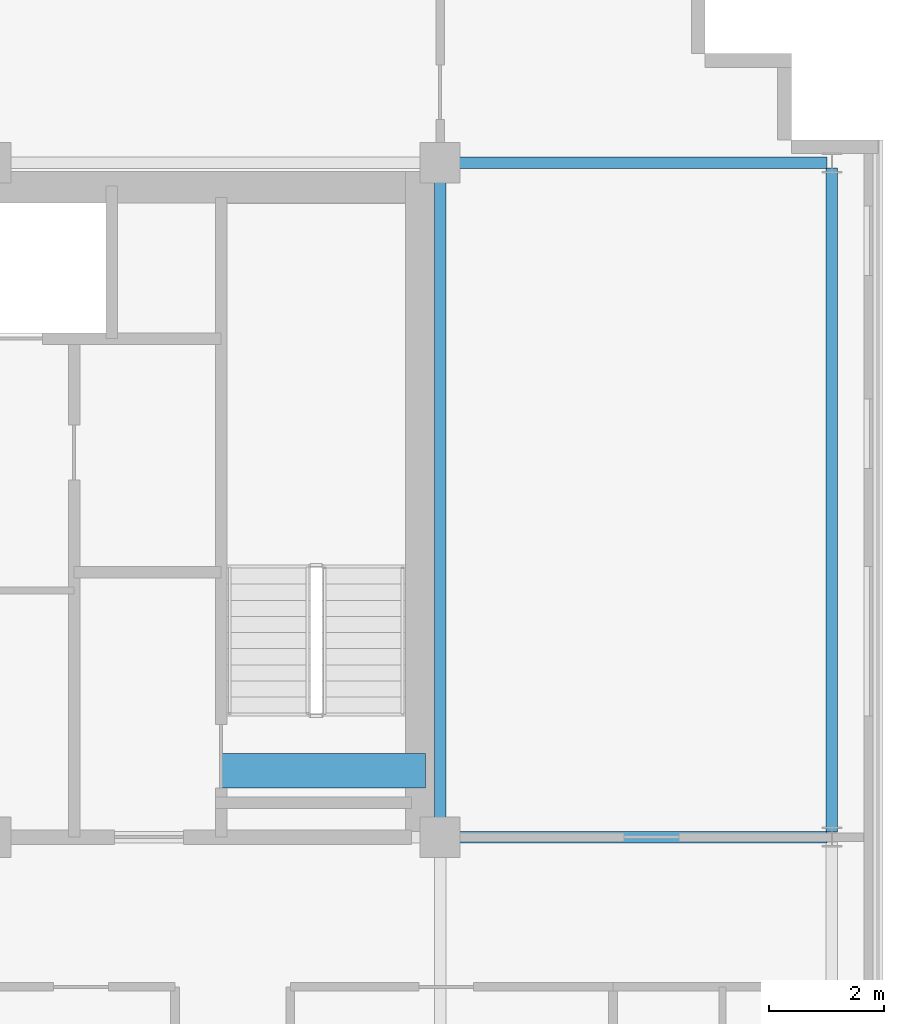
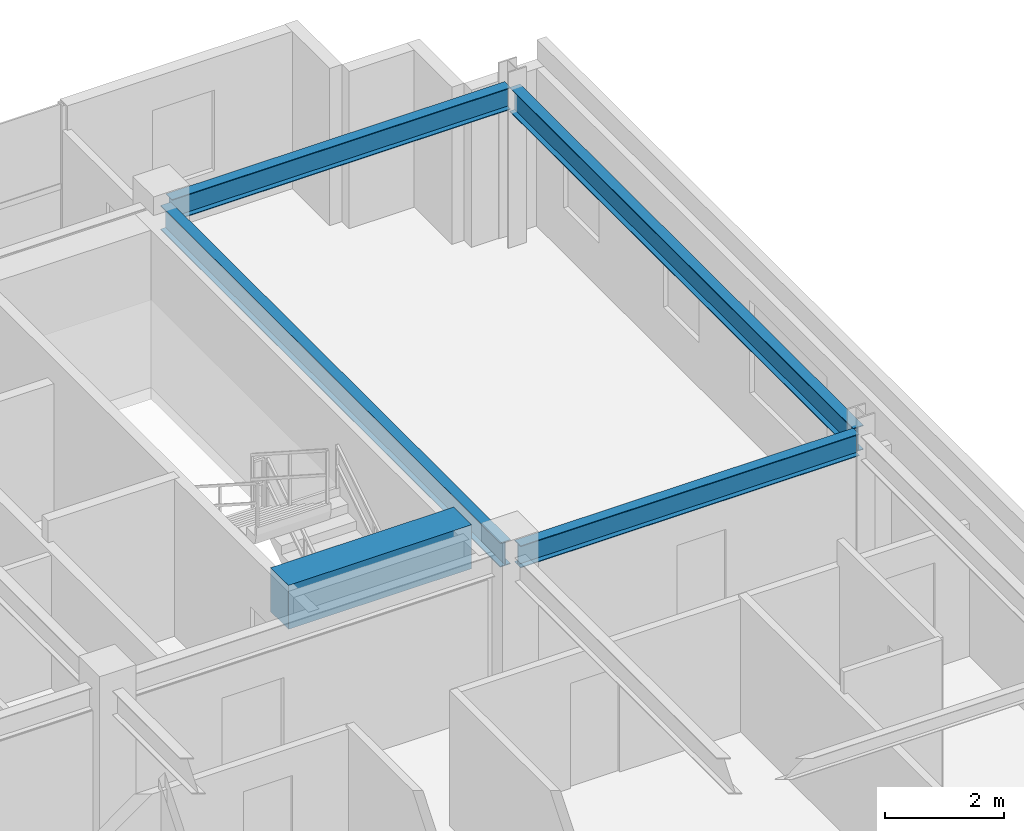
# One storey, part 26 of 37: 5 beams.
"""IFC4 building model written with IfcOpenShell, lengths in metres."""

from ifc_helpers import new_model, si_unit, direction, frame, origin, origin_2d, place, context, subcontext, project, spatial, rectangle, i_section, extrude, source, transform, mapped, material, material_profile, profile_set, type_object, element, save


model = new_model("IFC4")

# Units and contexts
model_context = context("Model", 3, precision=1e-05, world=origin(), true_north=direction((0.0, 1.0)))
body_context = subcontext(model_context, "Body", "Model", "MODEL_VIEW")
ifc_project = project(units=[si_unit("LENGTHUNIT", "METRE"), si_unit("AREAUNIT", "SQUARE_METRE"), si_unit("VOLUMEUNIT", "CUBIC_METRE"), si_unit("PLANEANGLEUNIT", "RADIAN"), si_unit("MASSUNIT", "GRAM", prefix="KILO")], contexts=[model_context])

# Site, building, storey
site_placement = place(None, origin())
site = spatial("IfcSite", under=ifc_project, at=site_placement, CompositionType="ELEMENT")
building_placement = place(site_placement, origin())
building = spatial("IfcBuilding", under=site, at=building_placement, Name="Trelvane Seafront Commons", CompositionType="ELEMENT")
storey_placement = place(building_placement, frame((0.0, 0.0, 201.300048828125)))
storey = spatial("IfcBuildingStorey", under=building, at=storey_placement, Name="L52", CompositionType="ELEMENT", Elevation=201.300048828125)

# Beams
ifc_material_1 = material(Name="Concrete C60/75", Category="concrete")
ifc_material_profile_1 = material_profile(ifc_material_1, rectangle(XDim=0.60009765625, YDim=0.89990234375, at=origin_2d()), Name="RC-600x900")
ifc_profile_set_1 = profile_set([ifc_material_profile_1], Name="Concrete C60/75")
beam_type_1 = type_object("IfcBeamType", Name="STR-LNT-RC600x900", PredefinedType="LINTEL", material=ifc_profile_set_1)
shared_shape_1 = source(origin(), body_context, "Body", "SweptSolid", [
    extrude(rectangle(XDim=0.60009765625, YDim=0.89990234375, at=origin_2d()), origin(), (0.0, 0.0, 1.0), 3.550048828125),
])
beam_1_placement = place(storey_placement, frame((55.0, 34.550048828125, 2.77001953125), z_axis=(1.0, 0.0, 0.0), x_axis=(0.0, 1.0, 0.0)))
element("IfcBeam", 1, at=beam_1_placement, inside=storey, type_object=beam_type_1, Name="L52 Core Coupling Lintel Beam CB-68", PredefinedType="LINTEL", context=body_context, shape_type="MappedRepresentation", body=[
    mapped(shared_shape_1, transform((0.0, 0.0, 0.0), x_axis=(1.0, 0.0, 0.0), y_axis=(0.0, 1.0, 0.0), z_axis=(0.0, 0.0, 1.0), scale=1.0)),
])
ifc_material_2 = material(Name="Steel SM355 (S355)", Category="steel")
ifc_material_profile_2 = material_profile(ifc_material_2, i_section(OverallWidth=0.199951171875, OverallDepth=0.5, WebThickness=0.010009765625, FlangeThickness=0.01611328125, at=origin_2d()), Name="H-500x200x10x16")
ifc_profile_set_2 = profile_set([ifc_material_profile_2], Name="Steel SM355 (S355)")
beam_type_2 = type_object("IfcBeamType", Name="STR-BM-H500", PredefinedType="BEAM", material=ifc_profile_set_2)
shared_shape_2 = source(origin(), body_context, "Body", "SweptSolid", [
    extrude(i_section(OverallWidth=0.199951171875, OverallDepth=0.5, WebThickness=0.010009765625, FlangeThickness=0.01611328125, at=origin_2d()), origin(), (0.0, 0.0, 1.0), 11.39990234375),
])
beam_2_placement = place(storey_placement, frame((58.800048828125, 33.550048828125, 2.969970703125), z_axis=(0.0, 1.0, 0.0), x_axis=(-1.0, 0.0, 0.0)))
element("IfcBeam", 2, at=beam_2_placement, inside=storey, type_object=beam_type_2, Name="L52 Primary Girder G-49", PredefinedType="BEAM", context=body_context, shape_type="MappedRepresentation", body=[
    mapped(shared_shape_2, transform((0.0, 0.0, 0.0), x_axis=(1.0, 0.0, 0.0), y_axis=(0.0, 1.0, 0.0), z_axis=(0.0, 0.0, 1.0), scale=1.0)),
])
ifc_material_profile_3 = material_profile(ifc_material_2, i_section(OverallWidth=0.199951171875, OverallDepth=0.449951171875, WebThickness=0.009033203125, FlangeThickness=0.013916015625, at=origin_2d()), Name="H-450x200x9x14")
ifc_profile_set_3 = profile_set([ifc_material_profile_3], Name="Steel SM355 (S355)")
beam_type_3 = type_object("IfcBeamType", Name="STR-SPD-H450", PredefinedType="SPANDREL", material=ifc_profile_set_3)
shared_shape_3 = source(origin(), body_context, "Body", "SweptSolid", [
    extrude(i_section(OverallWidth=0.199951171875, OverallDepth=0.449951171875, WebThickness=0.009033203125, FlangeThickness=0.013916015625, at=origin_2d()), origin(), (0.0, 0.0, 1.0), 6.5625),
])
for number, where, z_axis, x_axis, name in (
    (3, (58.949951171875, 33.39990234375, 2.994873046875), (1.0, 0.0, 0.0), (0.0, 1.0, 0.0), "L52 Primary Girder G-21"),
    (4, (58.949951171875, 45.10009765625, 2.994873046875), (1.0, 0.0, 0.0), (0.0, 1.0, 0.0), "L52 Primary Girder G-28"),
):
    element("IfcBeam", number, at=place(storey_placement, frame(where, z_axis=z_axis, x_axis=x_axis)), inside=storey, type_object=beam_type_3, Name=name, PredefinedType="SPANDREL", context=body_context, shape_type="MappedRepresentation", body=[
        mapped(shared_shape_3, transform((0.0, 0.0, 0.0), x_axis=(1.0, 0.0, 0.0), y_axis=(0.0, 1.0, 0.0), z_axis=(0.0, 0.0, 1.0), scale=1.0)),
    ])
shared_shape_4 = source(origin(), body_context, "Body", "SweptSolid", [
    extrude(i_section(OverallWidth=0.199951171875, OverallDepth=0.5, WebThickness=0.010009765625, FlangeThickness=0.01611328125, at=origin_2d()), origin(), (0.0, 0.0, 1.0), 11.52490234375),
])
beam_3_placement = place(storey_placement, frame((65.60009765625, 33.487548828125, 2.969970703125), z_axis=(0.0, 1.0, 0.0), x_axis=(-1.0, 0.0, 0.0)))
element("IfcBeam", 5, at=beam_3_placement, inside=storey, type_object=beam_type_2, Name="L52 Primary Girder G-52", PredefinedType="BEAM", context=body_context, shape_type="MappedRepresentation", body=[
    mapped(shared_shape_4, transform((0.0, 0.0, 0.0), x_axis=(1.0, 0.0, 0.0), y_axis=(0.0, 1.0, 0.0), z_axis=(0.0, 0.0, 1.0), scale=1.0)),
])

save(model, "model.ifc")
